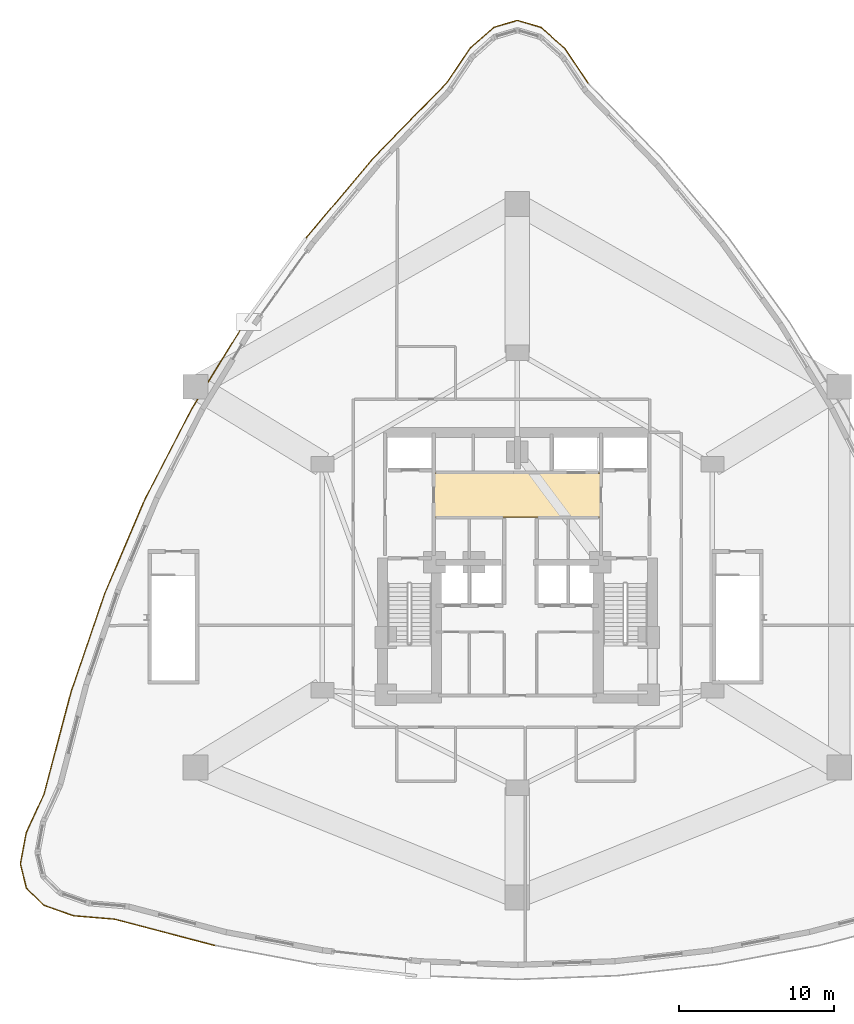
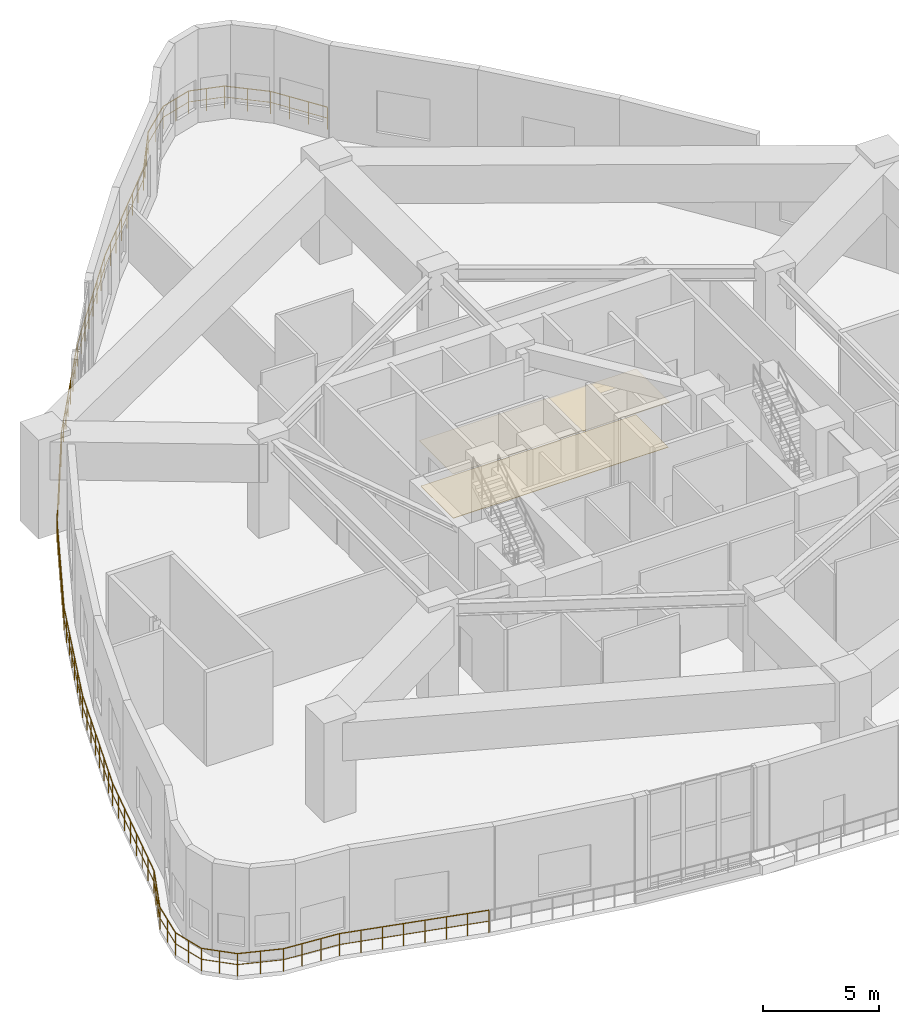
# One storey, part 17 of 19: 2 coverings, 1 railing.
"""IFC4 building model written with IfcOpenShell, lengths in metres."""

from ifc_helpers import new_model, si_unit, direction, frame, origin, origin_2d, place, context, subcontext, project, spatial, polyline, circle, outline, extrude, material, layer, layer_set, type_object, element, save


model = new_model("IFC4")

# Units and contexts
model_context = context("Model", 3, precision=1e-05, world=origin(), true_north=direction((0.0, 1.0)))
body_context = subcontext(model_context, "Body", "Model", "MODEL_VIEW")
ifc_project = project(units=[si_unit("LENGTHUNIT", "METRE"), si_unit("AREAUNIT", "SQUARE_METRE"), si_unit("VOLUMEUNIT", "CUBIC_METRE"), si_unit("PLANEANGLEUNIT", "RADIAN"), si_unit("MASSUNIT", "GRAM", prefix="KILO")], contexts=[model_context])

# Site, building, storey
site_placement = place(None, origin())
site = spatial("IfcSite", under=ifc_project, at=site_placement, CompositionType="ELEMENT")
building_placement = place(site_placement, origin())
building = spatial("IfcBuilding", under=site, at=building_placement, Name="Miruveldt Soraemaru", CompositionType="ELEMENT")
storey_placement = place(building_placement, frame((0.0, 0.0, 24.0)))
storey = spatial("IfcBuildingStorey", under=building, at=storey_placement, Name="L06", CompositionType="ELEMENT", Elevation=24.0)

# Coverings
ifc_material_1 = material(Name="Gypsum plasterboard lining", Category="gypsum")
ifc_layer_1 = layer(ifc_material_1, 0.02001953125, Name="Gypsum plasterboard lining", Category="gypsum")
ifc_layer_set_1 = layer_set([ifc_layer_1], Name="Gypsum plasterboard lining")
covering_type_1 = type_object("IfcCoveringType", Name="COV-CEIL-AC", PredefinedType="CEILING", material=ifc_layer_set_1)
covering_1_placement = place(storey_placement, frame((0.0, 0.0, 2.3798828125)))
element("IfcCovering", 1, at=covering_1_placement, inside=storey, type_object=covering_type_1, Name="L06 Lift Lobby Acoustic Ceiling", PredefinedType="CEILING", context=body_context, shape_type="SweptSolid", body=[
    extrude(outline(polyline([(38.60009765625, 46.949951171875), (49.39990234375, 46.949951171875), (49.39990234375, 49.85009765625), (38.60009765625, 49.85009765625), (38.60009765625, 46.949951171875)])), origin(), (0.0, 0.0, 1.0), 0.02001953125),
])
ifc_material_2 = material(Name="Precast concrete C45/55 (45 MPa)", Category="concrete")
ifc_layer_2 = layer(ifc_material_2, 0.02490234375, Name="Precast concrete C45/55 (45 MPa)", Category="concrete")
ifc_layer_set_2 = layer_set([ifc_layer_2], Name="Precast concrete C45/55 (45 MPa)")
covering_type_2 = type_object("IfcCoveringType", Name="COV-FLOR-ST", PredefinedType="FLOORING", material=ifc_layer_set_2)
covering_2_placement = place(storey_placement, origin())
element("IfcCovering", 2, at=covering_2_placement, inside=storey, type_object=covering_type_2, Name="L06 Lift Lobby Stone Flooring", PredefinedType="FLOORING", context=body_context, shape_type="SweptSolid", body=[
    extrude(outline(polyline([(38.64990234375, 47.0), (49.35009765625, 47.0), (49.35009765625, 49.800048828125), (38.64990234375, 49.800048828125), (38.64990234375, 47.0)])), origin(), (0.0, 0.0, 1.0), 0.02490234375),
])

# Railing
ifc_material_3 = material(Name="Anodised aluminium EN AW-6063 T6", Category="aluminium")
railing_type = type_object("IfcRailingType", Name="RAIL-GUARD-1200", PredefinedType="GUARDRAIL", material=ifc_material_3)
railing_placement = place(storey_placement, frame((48.57080078125, 75.03662109375, 0.0)))
element("IfcRailing", 3, at=railing_placement, inside=storey, type_object=railing_type, Name="L06 Planted Terrace Perimeter Guardrail (A)", PredefinedType="GUARDRAIL", context=body_context, shape_type="SweptSolid", body=[
    extrude(circle(Radius=0.02392578125, at=origin_2d()), frame((0.0, 0.0, 1.17578125), z_axis=(-0.561827235854, 0.827254590228, 0.0), x_axis=(-0.827254590228, -0.561827235854, 0.0)), (0.0, 0.0, 1.0), 2.711669921875),
    extrude(circle(Radius=0.01611328125, at=origin_2d()), frame((0.0, 0.0, 0.60009765625), z_axis=(-0.561827235854, 0.827254590228, 0.0), x_axis=(-0.827254590228, -0.561827235854, 0.0)), (0.0, 0.0, 1.0), 2.711669921875),
    extrude(circle(Radius=0.02392578125, at=origin_2d()), frame((-1.5234375, 2.2431640625, 1.17578125), z_axis=(-0.749466260192, 0.662042540048, 0.0), x_axis=(-0.662042540048, -0.749466260192, 0.0)), (0.0, 0.0, 1.0), 2.032958984375),
    extrude(circle(Radius=0.01611328125, at=origin_2d()), frame((-1.5234375, 2.2431640625, 0.60009765625), z_axis=(-0.749466260192, 0.662042540048, 0.0), x_axis=(-0.662042540048, -0.749466260192, 0.0)), (0.0, 0.0, 1.0), 2.032958984375),
    extrude(circle(Radius=0.02392578125, at=origin_2d()), frame((-3.047119140625, 3.589111328125, 1.17578125), z_axis=(-0.959306737945, 0.28236604352, 0.0), x_axis=(-0.28236604352, -0.959306737945, 0.0)), (0.0, 0.0, 1.0), 1.58837890625),
    extrude(circle(Radius=0.01611328125, at=origin_2d()), frame((-3.047119140625, 3.589111328125, 0.60009765625), z_axis=(-0.959306737945, 0.28236604352, 0.0), x_axis=(-0.28236604352, -0.959306737945, 0.0)), (0.0, 0.0, 1.0), 1.58837890625),
    extrude(circle(Radius=0.02392578125, at=origin_2d()), frame((-4.57080078125, 4.03759765625, 1.17578125), z_axis=(-0.959306737945, -0.28236604352, 0.0), x_axis=(0.28236604352, -0.959306737945, 0.0)), (0.0, 0.0, 1.0), 1.58837890625),
    extrude(circle(Radius=0.01611328125, at=origin_2d()), frame((-4.57080078125, 4.03759765625, 0.60009765625), z_axis=(-0.959306737945, -0.28236604352, 0.0), x_axis=(0.28236604352, -0.959306737945, 0.0)), (0.0, 0.0, 1.0), 1.58837890625),
    extrude(circle(Radius=0.02392578125, at=origin_2d()), frame((-6.094482421875, 3.589111328125, 1.17578125), z_axis=(-0.749466260192, -0.662042540048, 0.0), x_axis=(0.662042540048, -0.749466260192, 0.0)), (0.0, 0.0, 1.0), 2.032958984375),
    extrude(circle(Radius=0.01611328125, at=origin_2d()), frame((-6.094482421875, 3.589111328125, 0.60009765625), z_axis=(-0.749466260192, -0.662042540048, 0.0), x_axis=(0.662042540048, -0.749466260192, 0.0)), (0.0, 0.0, 1.0), 2.032958984375),
    extrude(circle(Radius=0.02392578125, at=origin_2d()), frame((-7.6181640625, 2.2431640625, 1.17578125), z_axis=(-0.561827235854, -0.827254590228, 0.0), x_axis=(0.827254590228, -0.561827235854, 0.0)), (0.0, 0.0, 1.0), 2.711669921875),
    extrude(circle(Radius=0.01611328125, at=origin_2d()), frame((-7.6181640625, 2.2431640625, 0.60009765625), z_axis=(-0.561827235854, -0.827254590228, 0.0), x_axis=(0.827254590228, -0.561827235854, 0.0)), (0.0, 0.0, 1.0), 2.711669921875),
    extrude(circle(Radius=0.02392578125, at=origin_2d()), frame((-9.1416015625, 0.0, 1.17578125), z_axis=(-0.697420501732, -0.716662154549, 0.0), x_axis=(0.716662154549, -0.697420501732, 0.0)), (0.0, 0.0, 1.0), 6.826171875),
    extrude(circle(Radius=0.01611328125, at=origin_2d()), frame((-9.1416015625, 0.0, 0.60009765625), z_axis=(-0.697420501732, -0.716662154549, 0.0), x_axis=(0.716662154549, -0.697420501732, 0.0)), (0.0, 0.0, 1.0), 6.826171875),
    extrude(circle(Radius=0.02392578125, at=origin_2d()), frame((-13.90234375, -4.89208984375, 1.17578125), z_axis=(-0.644535190398, -0.764574645367, 0.0), x_axis=(0.764574645367, -0.644535190398, 0.0)), (0.0, 0.0, 1.0), 6.7177734375),
    extrude(circle(Radius=0.01611328125, at=origin_2d()), frame((-13.90234375, -4.89208984375, 0.60009765625), z_axis=(-0.644535190398, -0.764574645367, 0.0), x_axis=(0.764574645367, -0.644535190398, 0.0)), (0.0, 0.0, 1.0), 6.7177734375),
    extrude(circle(Radius=0.02392578125, at=origin_2d()), frame((-18.232177734375, -10.0283203125, 1.17578125), z_axis=(-0.58679654881, -0.809734407263, 0.0), x_axis=(0.809734407263, -0.58679654881, 0.0)), (0.0, 0.0, 1.0), 6.64404296875),
    extrude(circle(Radius=0.01611328125, at=origin_2d()), frame((-18.232177734375, -10.0283203125, 0.60009765625), z_axis=(-0.58679654881, -0.809734407263, 0.0), x_axis=(0.809734407263, -0.58679654881, 0.0)), (0.0, 0.0, 1.0), 6.64404296875),
    extrude(circle(Radius=0.02392578125, at=origin_2d()), frame((-22.130859375, -15.408203125, 1.17578125), z_axis=(-0.524847654322, -0.851196181707, 0.0), x_axis=(0.851196181707, -0.524847654322, 0.0)), (0.0, 0.0, 1.0), 6.607177734375),
    extrude(circle(Radius=0.01611328125, at=origin_2d()), frame((-22.130859375, -15.408203125, 0.60009765625), z_axis=(-0.524847654322, -0.851196181707, 0.0), x_axis=(0.851196181707, -0.524847654322, 0.0)), (0.0, 0.0, 1.0), 6.607177734375),
    extrude(circle(Radius=0.02392578125, at=origin_2d()), frame((-25.5986328125, -21.0322265625, 1.17578125), z_axis=(-0.459629982927, -0.888110510463, 0.0), x_axis=(0.888110510463, -0.459629982927, 0.0)), (0.0, 0.0, 1.0), 6.607177734375),
    extrude(circle(Radius=0.01611328125, at=origin_2d()), frame((-25.5986328125, -21.0322265625, 0.60009765625), z_axis=(-0.459629982927, -0.888110510463, 0.0), x_axis=(0.888110510463, -0.459629982927, 0.0)), (0.0, 0.0, 1.0), 6.607177734375),
    extrude(circle(Radius=0.02392578125, at=origin_2d()), frame((-28.635498046875, -26.900146484375, 1.17578125), z_axis=(-0.392215683732, -0.919873283357, 0.0), x_axis=(0.919873283357, -0.392215683732, 0.0)), (0.0, 0.0, 1.0), 6.644287109375),
    extrude(circle(Radius=0.01611328125, at=origin_2d()), frame((-28.635498046875, -26.900146484375, 0.60009765625), z_axis=(-0.392215683732, -0.919873283357, 0.0), x_axis=(0.919873283357, -0.392215683732, 0.0)), (0.0, 0.0, 1.0), 6.644287109375),
    extrude(circle(Radius=0.02392578125, at=origin_2d()), frame((-31.241455078125, -33.011962890625, 1.17578125), z_axis=(-0.323784428195, -0.946130881041, 0.0), x_axis=(0.946130881041, -0.323784428195, 0.0)), (0.0, 0.0, 1.0), 6.717529296875),
    extrude(circle(Radius=0.01611328125, at=origin_2d()), frame((-31.241455078125, -33.011962890625, 0.60009765625), z_axis=(-0.323784428195, -0.946130881041, 0.0), x_axis=(0.946130881041, -0.323784428195, 0.0)), (0.0, 0.0, 1.0), 6.717529296875),
    extrude(circle(Radius=0.02392578125, at=origin_2d()), frame((-33.41650390625, -39.36767578125, 1.17578125), z_axis=(-0.255473757723, -0.966815990308, 0.0), x_axis=(0.966815990308, -0.255473757723, 0.0)), (0.0, 0.0, 1.0), 6.826171875),
    extrude(circle(Radius=0.01611328125, at=origin_2d()), frame((-33.41650390625, -39.36767578125, 0.60009765625), z_axis=(-0.255473757723, -0.966815990308, 0.0), x_axis=(0.966815990308, -0.255473757723, 0.0)), (0.0, 0.0, 1.0), 6.826171875),
    extrude(circle(Radius=0.02392578125, at=origin_2d()), frame((-35.160400390625, -45.96728515625, 1.17578125), z_axis=(-0.420259107806, -0.907404144968, 0.0), x_axis=(0.907404144968, -0.420259107806, 0.0)), (0.0, 0.0, 1.0), 2.71923828125),
    extrude(circle(Radius=0.01611328125, at=origin_2d()), frame((-35.160400390625, -45.96728515625, 0.60009765625), z_axis=(-0.420259107806, -0.907404144968, 0.0), x_axis=(0.907404144968, -0.420259107806, 0.0)), (0.0, 0.0, 1.0), 2.71923828125),
    extrude(circle(Radius=0.02392578125, at=origin_2d()), frame((-36.30322265625, -48.434814453125, 1.17578125), z_axis=(-0.185386207803, -0.98266573867, 0.0), x_axis=(0.98266573867, -0.185386207803, 0.0)), (0.0, 0.0, 1.0), 2.054443359375),
    extrude(circle(Radius=0.01611328125, at=origin_2d()), frame((-36.30322265625, -48.434814453125, 0.60009765625), z_axis=(-0.185386207803, -0.98266573867, 0.0), x_axis=(0.98266573867, -0.185386207803, 0.0)), (0.0, 0.0, 1.0), 2.054443359375),
    extrude(circle(Radius=0.02392578125, at=origin_2d()), frame((-36.68408203125, -50.45361328125, 1.17578125), z_axis=(0.235703810064, -0.971824939956, 0.0), x_axis=(0.971824939956, 0.235703810064, 0.0)), (0.0, 0.0, 1.0), 1.61572265625),
    extrude(circle(Radius=0.01611328125, at=origin_2d()), frame((-36.68408203125, -50.45361328125, 0.60009765625), z_axis=(0.235703810064, -0.971824939956, 0.0), x_axis=(0.971824939956, 0.235703810064, 0.0)), (0.0, 0.0, 1.0), 1.61572265625),
    extrude(circle(Radius=0.02392578125, at=origin_2d()), frame((-36.30322265625, -52.02392578125, 1.17578125), z_axis=(0.713784308728, -0.700365590683, 0.0), x_axis=(0.700365590683, 0.713784308728, 0.0)), (0.0, 0.0, 1.0), 1.60107421875),
    extrude(circle(Radius=0.01611328125, at=origin_2d()), frame((-36.30322265625, -52.02392578125, 0.60009765625), z_axis=(0.713784308728, -0.700365590683, 0.0), x_axis=(0.700365590683, 0.713784308728, 0.0)), (0.0, 0.0, 1.0), 1.60107421875),
    extrude(circle(Radius=0.02392578125, at=origin_2d()), frame((-35.160400390625, -53.145263671875, 1.17578125), z_axis=(0.942836254671, -0.333256353093, 0.0), x_axis=(0.333256353093, 0.942836254671, 0.0)), (0.0, 0.0, 1.0), 2.019775390625),
    extrude(circle(Radius=0.01611328125, at=origin_2d()), frame((-35.160400390625, -53.145263671875, 0.60009765625), z_axis=(0.942836254671, -0.333256353093, 0.0), x_axis=(0.333256353093, 0.942836254671, 0.0)), (0.0, 0.0, 1.0), 2.019775390625),
    extrude(circle(Radius=0.02392578125, at=origin_2d()), frame((-33.256103515625, -53.818359375, 1.17578125), z_axis=(0.996478740242, -0.083845812331, 0.0), x_axis=(0.083845812331, 0.996478740242, 0.0)), (0.0, 0.0, 1.0), 2.676025390625),
    extrude(circle(Radius=0.01611328125, at=origin_2d()), frame((-33.256103515625, -53.818359375, 0.60009765625), z_axis=(0.996478740242, -0.083845812331, 0.0), x_axis=(0.083845812331, 0.996478740242, 0.0)), (0.0, 0.0, 1.0), 2.676025390625),
    extrude(circle(Radius=0.02392578125, at=origin_2d()), frame((-30.589599609375, -54.042724609375, 1.17578125), z_axis=(0.967236021451, -0.253878866406, 0.0), x_axis=(0.253878866406, 0.967236021451, 0.0)), (0.0, 0.0, 1.0), 6.669921875),
    extrude(circle(Radius=0.01611328125, at=origin_2d()), frame((-30.589599609375, -54.042724609375, 0.60009765625), z_axis=(0.967236021451, -0.253878866406, 0.0), x_axis=(0.253878866406, 0.967236021451, 0.0)), (0.0, 0.0, 1.0), 6.669921875),
    extrude(circle(Radius=0.02099609375, at=origin_2d()), origin(), (0.0, 0.0, 1.0), 1.15185546875),
    extrude(circle(Radius=0.02099609375, at=origin_2d()), frame((-0.5078125, 0.747802734375, 0.0)), (0.0, 0.0, 1.0), 1.15185546875),
    extrude(circle(Radius=0.02099609375, at=origin_2d()), frame((-1.015625, 1.495361328125, 0.0)), (0.0, 0.0, 1.0), 1.15185546875),
    extrude(circle(Radius=0.02099609375, at=origin_2d()), frame((-1.5234375, 2.2431640625, 0.0)), (0.0, 0.0, 1.0), 1.15185546875),
    extrude(circle(Radius=0.02099609375, at=origin_2d()), frame((-2.28515625, 2.916015625, 0.0)), (0.0, 0.0, 1.0), 1.15185546875),
    extrude(circle(Radius=0.02099609375, at=origin_2d()), frame((-3.047119140625, 3.589111328125, 0.0)), (0.0, 0.0, 1.0), 1.15185546875),
    extrude(circle(Radius=0.02099609375, at=origin_2d()), frame((-3.80908203125, 3.8134765625, 0.0)), (0.0, 0.0, 1.0), 1.15185546875),
    extrude(circle(Radius=0.02099609375, at=origin_2d()), frame((-4.57080078125, 4.03759765625, 0.0)), (0.0, 0.0, 1.0), 1.15185546875),
    extrude(circle(Radius=0.02099609375, at=origin_2d()), frame((-5.33251953125, 3.8134765625, 0.0)), (0.0, 0.0, 1.0), 1.15185546875),
    extrude(circle(Radius=0.02099609375, at=origin_2d()), frame((-6.094482421875, 3.589111328125, 0.0)), (0.0, 0.0, 1.0), 1.15185546875),
    extrude(circle(Radius=0.02099609375, at=origin_2d()), frame((-6.8564453125, 2.916015625, 0.0)), (0.0, 0.0, 1.0), 1.15185546875),
    extrude(circle(Radius=0.02099609375, at=origin_2d()), frame((-7.6181640625, 2.2431640625, 0.0)), (0.0, 0.0, 1.0), 1.15185546875),
    extrude(circle(Radius=0.02099609375, at=origin_2d()), frame((-8.1259765625, 1.495361328125, 0.0)), (0.0, 0.0, 1.0), 1.15185546875),
    extrude(circle(Radius=0.02099609375, at=origin_2d()), frame((-8.6337890625, 0.747802734375, 0.0)), (0.0, 0.0, 1.0), 1.15185546875),
    extrude(circle(Radius=0.02099609375, at=origin_2d()), frame((-9.1416015625, 0.0, 0.0)), (0.0, 0.0, 1.0), 1.15185546875),
    extrude(circle(Radius=0.02099609375, at=origin_2d()), frame((-9.82177734375, -0.698974609375, 0.0)), (0.0, 0.0, 1.0), 1.15185546875),
    extrude(circle(Radius=0.02099609375, at=origin_2d()), frame((-10.501708984375, -1.397705078125, 0.0)), (0.0, 0.0, 1.0), 1.15185546875),
    extrude(circle(Radius=0.02099609375, at=origin_2d()), frame((-11.181884765625, -2.0966796875, 0.0)), (0.0, 0.0, 1.0), 1.15185546875),
    extrude(circle(Radius=0.02099609375, at=origin_2d()), frame((-11.862060546875, -2.79541015625, 0.0)), (0.0, 0.0, 1.0), 1.15185546875),
    extrude(circle(Radius=0.02099609375, at=origin_2d()), frame((-12.542236328125, -3.494384765625, 0.0)), (0.0, 0.0, 1.0), 1.15185546875),
    extrude(circle(Radius=0.02099609375, at=origin_2d()), frame((-13.22216796875, -4.193115234375, 0.0)), (0.0, 0.0, 1.0), 1.15185546875),
    extrude(circle(Radius=0.02099609375, at=origin_2d()), frame((-13.90234375, -4.89208984375, 0.0)), (0.0, 0.0, 1.0), 1.15185546875),
    extrude(circle(Radius=0.02099609375, at=origin_2d()), frame((-14.52099609375, -5.625732421875, 0.0)), (0.0, 0.0, 1.0), 1.15185546875),
    extrude(circle(Radius=0.02099609375, at=origin_2d()), frame((-15.139404296875, -6.359619140625, 0.0)), (0.0, 0.0, 1.0), 1.15185546875),
    extrude(circle(Radius=0.02099609375, at=origin_2d()), frame((-15.758056640625, -7.09326171875, 0.0)), (0.0, 0.0, 1.0), 1.15185546875),
    extrude(circle(Radius=0.02099609375, at=origin_2d()), frame((-16.37646484375, -7.8271484375, 0.0)), (0.0, 0.0, 1.0), 1.15185546875),
    extrude(circle(Radius=0.02099609375, at=origin_2d()), frame((-16.9951171875, -8.560791015625, 0.0)), (0.0, 0.0, 1.0), 1.15185546875),
    extrude(circle(Radius=0.02099609375, at=origin_2d()), frame((-17.613525390625, -9.294677734375, 0.0)), (0.0, 0.0, 1.0), 1.15185546875),
    extrude(circle(Radius=0.02099609375, at=origin_2d()), frame((-18.232177734375, -10.0283203125, 0.0)), (0.0, 0.0, 1.0), 1.15185546875),
    extrude(circle(Radius=0.02099609375, at=origin_2d()), frame((-18.7890625, -10.796875, 0.0)), (0.0, 0.0, 1.0), 1.15185546875),
    extrude(circle(Radius=0.02099609375, at=origin_2d()), frame((-19.34619140625, -11.5654296875, 0.0)), (0.0, 0.0, 1.0), 1.15185546875),
    extrude(circle(Radius=0.02099609375, at=origin_2d()), frame((-19.903076171875, -12.333984375, 0.0)), (0.0, 0.0, 1.0), 1.15185546875),
    extrude(circle(Radius=0.02099609375, at=origin_2d()), frame((-20.4599609375, -13.1025390625, 0.0)), (0.0, 0.0, 1.0), 1.15185546875),
    extrude(circle(Radius=0.02099609375, at=origin_2d()), frame((-21.016845703125, -13.87109375, 0.0)), (0.0, 0.0, 1.0), 1.15185546875),
    extrude(circle(Radius=0.02099609375, at=origin_2d()), frame((-21.573974609375, -14.6396484375, 0.0)), (0.0, 0.0, 1.0), 1.15185546875),
    extrude(circle(Radius=0.02099609375, at=origin_2d()), frame((-22.130859375, -15.408203125, 0.0)), (0.0, 0.0, 1.0), 1.15185546875),
    extrude(circle(Radius=0.02099609375, at=origin_2d()), frame((-22.626220703125, -16.211669921875, 0.0)), (0.0, 0.0, 1.0), 1.15185546875),
    extrude(circle(Radius=0.02099609375, at=origin_2d()), frame((-23.12158203125, -17.01513671875, 0.0)), (0.0, 0.0, 1.0), 1.15185546875),
    extrude(circle(Radius=0.02099609375, at=origin_2d()), frame((-23.616943359375, -17.818603515625, 0.0)), (0.0, 0.0, 1.0), 1.15185546875),
    extrude(circle(Radius=0.02099609375, at=origin_2d()), frame((-24.112548828125, -18.621826171875, 0.0)), (0.0, 0.0, 1.0), 1.15185546875),
    extrude(circle(Radius=0.02099609375, at=origin_2d()), frame((-24.60791015625, -19.42529296875, 0.0)), (0.0, 0.0, 1.0), 1.15185546875),
    extrude(circle(Radius=0.02099609375, at=origin_2d()), frame((-25.103271484375, -20.228759765625, 0.0)), (0.0, 0.0, 1.0), 1.15185546875),
    extrude(circle(Radius=0.02099609375, at=origin_2d()), frame((-25.5986328125, -21.0322265625, 0.0)), (0.0, 0.0, 1.0), 1.15185546875),
    extrude(circle(Radius=0.02099609375, at=origin_2d()), frame((-26.032470703125, -21.87060546875, 0.0)), (0.0, 0.0, 1.0), 1.15185546875),
    extrude(circle(Radius=0.02099609375, at=origin_2d()), frame((-26.46630859375, -22.708740234375, 0.0)), (0.0, 0.0, 1.0), 1.15185546875),
    extrude(circle(Radius=0.02099609375, at=origin_2d()), frame((-26.900146484375, -23.547119140625, 0.0)), (0.0, 0.0, 1.0), 1.15185546875),
    extrude(circle(Radius=0.02099609375, at=origin_2d()), frame((-27.333984375, -24.38525390625, 0.0)), (0.0, 0.0, 1.0), 1.15185546875),
    extrude(circle(Radius=0.02099609375, at=origin_2d()), frame((-27.767822265625, -25.2236328125, 0.0)), (0.0, 0.0, 1.0), 1.15185546875),
    extrude(circle(Radius=0.02099609375, at=origin_2d()), frame((-28.20166015625, -26.061767578125, 0.0)), (0.0, 0.0, 1.0), 1.15185546875),
    extrude(circle(Radius=0.02099609375, at=origin_2d()), frame((-28.635498046875, -26.900146484375, 0.0)), (0.0, 0.0, 1.0), 1.15185546875),
    extrude(circle(Radius=0.02099609375, at=origin_2d()), frame((-29.0078125, -27.773193359375, 0.0)), (0.0, 0.0, 1.0), 1.15185546875),
    extrude(circle(Radius=0.02099609375, at=origin_2d()), frame((-29.380126953125, -28.646484375, 0.0)), (0.0, 0.0, 1.0), 1.15185546875),
    extrude(circle(Radius=0.02099609375, at=origin_2d()), frame((-29.75244140625, -29.51953125, 0.0)), (0.0, 0.0, 1.0), 1.15185546875),
    extrude(circle(Radius=0.02099609375, at=origin_2d()), frame((-30.12451171875, -30.392578125, 0.0)), (0.0, 0.0, 1.0), 1.15185546875),
    extrude(circle(Radius=0.02099609375, at=origin_2d()), frame((-30.496826171875, -31.265625, 0.0)), (0.0, 0.0, 1.0), 1.15185546875),
    extrude(circle(Radius=0.02099609375, at=origin_2d()), frame((-30.869140625, -32.138916015625, 0.0)), (0.0, 0.0, 1.0), 1.15185546875),
    extrude(circle(Radius=0.02099609375, at=origin_2d()), frame((-31.241455078125, -33.011962890625, 0.0)), (0.0, 0.0, 1.0), 1.15185546875),
    extrude(circle(Radius=0.02099609375, at=origin_2d()), frame((-31.55224609375, -33.919921875, 0.0)), (0.0, 0.0, 1.0), 1.15185546875),
    extrude(circle(Radius=0.02099609375, at=origin_2d()), frame((-31.86279296875, -34.827880859375, 0.0)), (0.0, 0.0, 1.0), 1.15185546875),
    extrude(circle(Radius=0.02099609375, at=origin_2d()), frame((-32.173583984375, -35.73583984375, 0.0)), (0.0, 0.0, 1.0), 1.15185546875),
    extrude(circle(Radius=0.02099609375, at=origin_2d()), frame((-32.484375, -36.643798828125, 0.0)), (0.0, 0.0, 1.0), 1.15185546875),
    extrude(circle(Radius=0.02099609375, at=origin_2d()), frame((-32.795166015625, -37.5517578125, 0.0)), (0.0, 0.0, 1.0), 1.15185546875),
    extrude(circle(Radius=0.02099609375, at=origin_2d()), frame((-33.105712890625, -38.459716796875, 0.0)), (0.0, 0.0, 1.0), 1.15185546875),
    extrude(circle(Radius=0.02099609375, at=origin_2d()), frame((-33.41650390625, -39.36767578125, 0.0)), (0.0, 0.0, 1.0), 1.15185546875),
    extrude(circle(Radius=0.02099609375, at=origin_2d()), frame((-33.66552734375, -40.310546875, 0.0)), (0.0, 0.0, 1.0), 1.15185546875),
    extrude(circle(Radius=0.02099609375, at=origin_2d()), frame((-33.914794921875, -41.253173828125, 0.0)), (0.0, 0.0, 1.0), 1.15185546875),
    extrude(circle(Radius=0.02099609375, at=origin_2d()), frame((-34.163818359375, -42.196044921875, 0.0)), (0.0, 0.0, 1.0), 1.15185546875),
    extrude(circle(Radius=0.02099609375, at=origin_2d()), frame((-34.4130859375, -43.138916015625, 0.0)), (0.0, 0.0, 1.0), 1.15185546875),
    extrude(circle(Radius=0.02099609375, at=origin_2d()), frame((-34.662109375, -44.081787109375, 0.0)), (0.0, 0.0, 1.0), 1.15185546875),
    extrude(circle(Radius=0.02099609375, at=origin_2d()), frame((-34.911376953125, -45.0244140625, 0.0)), (0.0, 0.0, 1.0), 1.15185546875),
    extrude(circle(Radius=0.02099609375, at=origin_2d()), frame((-35.160400390625, -45.96728515625, 0.0)), (0.0, 0.0, 1.0), 1.15185546875),
    extrude(circle(Radius=0.02099609375, at=origin_2d()), frame((-35.541259765625, -46.789794921875, 0.0)), (0.0, 0.0, 1.0), 1.15185546875),
    extrude(circle(Radius=0.02099609375, at=origin_2d()), frame((-35.92236328125, -47.6123046875, 0.0)), (0.0, 0.0, 1.0), 1.15185546875),
    extrude(circle(Radius=0.02099609375, at=origin_2d()), frame((-36.30322265625, -48.434814453125, 0.0)), (0.0, 0.0, 1.0), 1.15185546875),
    extrude(circle(Radius=0.02099609375, at=origin_2d()), frame((-36.49365234375, -49.4443359375, 0.0)), (0.0, 0.0, 1.0), 1.15185546875),
    extrude(circle(Radius=0.02099609375, at=origin_2d()), frame((-36.68408203125, -50.45361328125, 0.0)), (0.0, 0.0, 1.0), 1.15185546875),
    extrude(circle(Radius=0.02099609375, at=origin_2d()), frame((-36.49365234375, -51.23876953125, 0.0)), (0.0, 0.0, 1.0), 1.15185546875),
    extrude(circle(Radius=0.02099609375, at=origin_2d()), frame((-36.30322265625, -52.02392578125, 0.0)), (0.0, 0.0, 1.0), 1.15185546875),
    extrude(circle(Radius=0.02099609375, at=origin_2d()), frame((-35.73193359375, -52.58447265625, 0.0)), (0.0, 0.0, 1.0), 1.15185546875),
    extrude(circle(Radius=0.02099609375, at=origin_2d()), frame((-35.160400390625, -53.145263671875, 0.0)), (0.0, 0.0, 1.0), 1.15185546875),
    extrude(circle(Radius=0.02099609375, at=origin_2d()), frame((-34.208251953125, -53.48193359375, 0.0)), (0.0, 0.0, 1.0), 1.15185546875),
    extrude(circle(Radius=0.02099609375, at=origin_2d()), frame((-33.256103515625, -53.818359375, 0.0)), (0.0, 0.0, 1.0), 1.15185546875),
    extrude(circle(Radius=0.02099609375, at=origin_2d()), frame((-32.3671875, -53.89306640625, 0.0)), (0.0, 0.0, 1.0), 1.15185546875),
    extrude(circle(Radius=0.02099609375, at=origin_2d()), frame((-31.478515625, -53.968017578125, 0.0)), (0.0, 0.0, 1.0), 1.15185546875),
    extrude(circle(Radius=0.02099609375, at=origin_2d()), frame((-30.589599609375, -54.042724609375, 0.0)), (0.0, 0.0, 1.0), 1.15185546875),
    extrude(circle(Radius=0.02099609375, at=origin_2d()), frame((-29.66796875, -54.28466796875, 0.0)), (0.0, 0.0, 1.0), 1.15185546875),
    extrude(circle(Radius=0.02099609375, at=origin_2d()), frame((-28.746337890625, -54.526611328125, 0.0)), (0.0, 0.0, 1.0), 1.15185546875),
    extrude(circle(Radius=0.02099609375, at=origin_2d()), frame((-27.82470703125, -54.7685546875, 0.0)), (0.0, 0.0, 1.0), 1.15185546875),
    extrude(circle(Radius=0.02099609375, at=origin_2d()), frame((-26.903076171875, -55.01025390625, 0.0)), (0.0, 0.0, 1.0), 1.15185546875),
    extrude(circle(Radius=0.02099609375, at=origin_2d()), frame((-25.9814453125, -55.252197265625, 0.0)), (0.0, 0.0, 1.0), 1.15185546875),
    extrude(circle(Radius=0.02099609375, at=origin_2d()), frame((-25.059814453125, -55.494140625, 0.0)), (0.0, 0.0, 1.0), 1.15185546875),
    extrude(circle(Radius=0.02099609375, at=origin_2d()), frame((-24.13818359375, -55.736083984375, 0.0)), (0.0, 0.0, 1.0), 1.15185546875),
])

save(model, "model.ifc")
